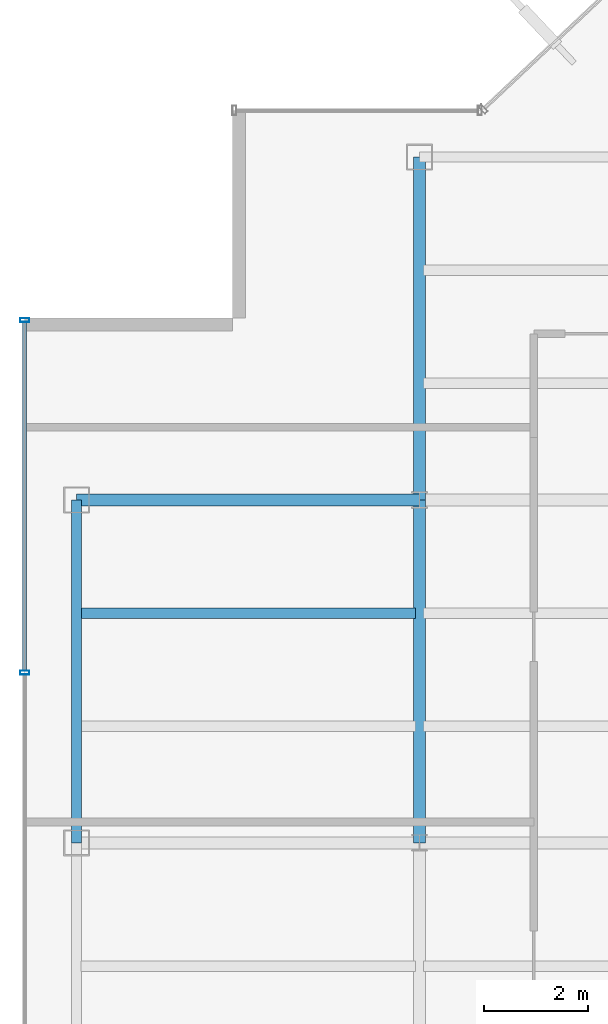
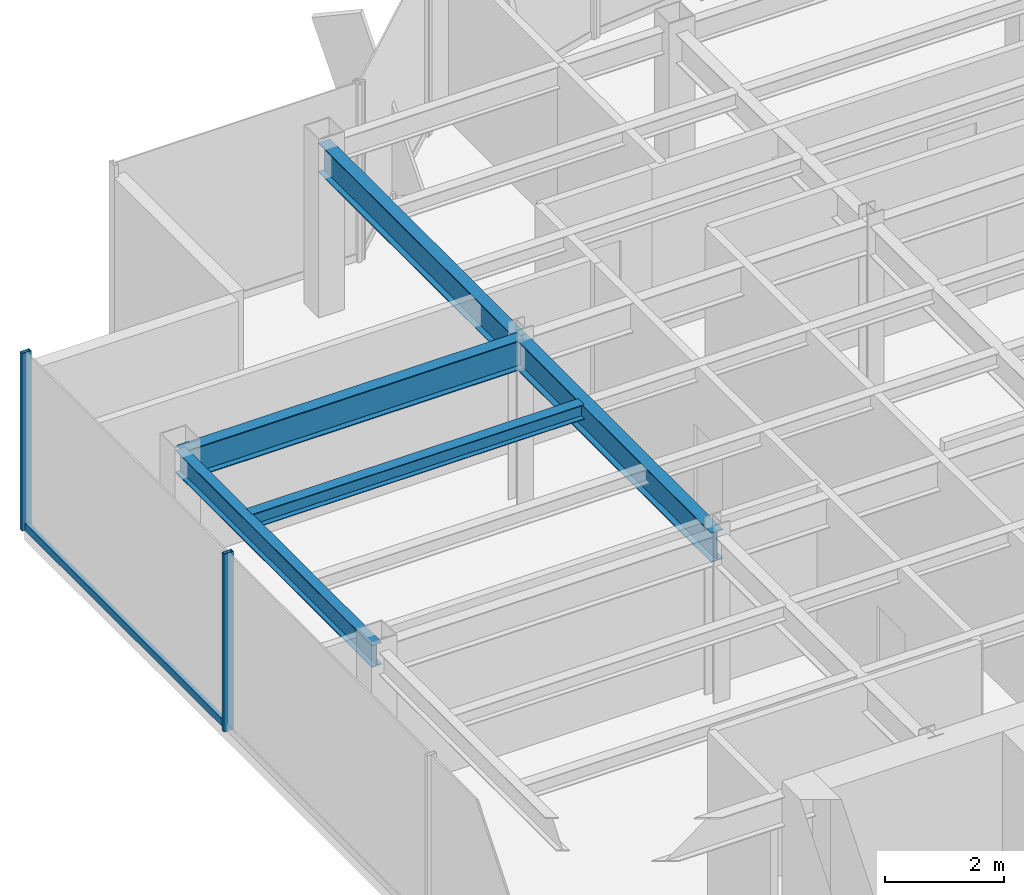
# One storey, part 7 of 22: 5 beams, 3 members, 1 element without a shape of its own.
"""IFC4 building model written with IfcOpenShell, lengths in metres."""

from ifc_helpers import new_model, si_unit, derived_unit, direction, frame, origin, origin_2d, place, context, subcontext, project, spatial, hollow_rectangle, i_section, extrude, source, transform, mapped, material, material_profile, profile_set, type_object, element, aggregate, save


model = new_model("IFC4")

# Units and contexts
model_context = context("Model", 3, precision=1e-05, world=origin(), true_north=direction((0.0, 1.0)))
body_context = subcontext(model_context, "Body", "Model", "MODEL_VIEW")
ifc_project = project(units=[si_unit("LENGTHUNIT", "METRE"), si_unit("AREAUNIT", "SQUARE_METRE"), si_unit("VOLUMEUNIT", "CUBIC_METRE"), si_unit("PLANEANGLEUNIT", "RADIAN"), si_unit("MASSUNIT", "GRAM", prefix="KILO"), derived_unit("THERMALTRANSMITTANCEUNIT", [(si_unit("POWERUNIT", "WATT"), 1), (si_unit("LENGTHUNIT", "METRE"), -2), (si_unit("THERMODYNAMICTEMPERATUREUNIT", "KELVIN"), -1)])], contexts=[model_context])

# Site, building, storey
site_placement = place(None, origin())
site = spatial("IfcSite", under=ifc_project, at=site_placement, CompositionType="ELEMENT")
building_placement = place(site_placement, origin())
building = spatial("IfcBuilding", under=site, at=building_placement, Name="Skarnbrae Concourse Arena and Tower", CompositionType="ELEMENT")
storey_placement = place(building_placement, frame((0.0, 0.0, 277.050048828125)))
storey = spatial("IfcBuildingStorey", under=building, at=storey_placement, Name="L72", CompositionType="ELEMENT", Elevation=277.050048828125)

# Beams
ifc_material_1 = material(Name="Steel CSA G40.21 350W", Category="steel")
ifc_material_profile_1 = material_profile(ifc_material_1, i_section(OverallWidth=0.22802734375, OverallDepth=0.60791015625, WebThickness=0.01123046875, FlangeThickness=0.017333984375, at=origin_2d()), Name="W610X113")
ifc_profile_set_1 = profile_set([ifc_material_profile_1], Name="Steel CSA G40.21 350W")
beam_type_1 = type_object("IfcBeamType", Name="BM-GIRD-W610X113", PredefinedType="BEAM", material=ifc_profile_set_1)
shared_shape_1 = source(origin(), body_context, "Body", "SweptSolid", [
    extrude(i_section(OverallWidth=0.22802734375, OverallDepth=0.60791015625, WebThickness=0.01123046875, FlangeThickness=0.017333984375, at=origin_2d()), origin(), (0.0, 0.0, 1.0), 6.60009765625),
])
for number, where, z_axis, x_axis, name in (
    (1, (1.0, 27.800048828125, 3.095947265625), (1.0, 0.0, 0.0), (0.0, 1.0, 0.0), "L72 Primary E-W girder Y27.8-1"),
    (2, (7.60009765625, 21.199951171875, 3.095947265625), (0.0, 1.0, 0.0), (-1.0, 0.0, 0.0), "L72 Primary N-S girder X7.6-2"),
):
    element("IfcBeam", number, at=place(storey_placement, frame(where, z_axis=z_axis, x_axis=x_axis)), inside=storey, type_object=beam_type_1, Name=name, PredefinedType="BEAM", context=body_context, shape_type="MappedRepresentation", body=[
        mapped(shared_shape_1, transform((0.0, 0.0, 0.0))),
    ])
ifc_material_profile_2 = material_profile(ifc_material_1, i_section(OverallWidth=0.19091796875, OverallDepth=0.4599609375, WebThickness=0.010009765625, FlangeThickness=0.01611328125, at=origin_2d()), Name="W460X82")
ifc_profile_set_2 = profile_set([ifc_material_profile_2], Name="Steel CSA G40.21 350W")
beam_type_2 = type_object("IfcBeamType", Name="BM-SPAN-W460X82", PredefinedType="SPANDREL", material=ifc_profile_set_2)
shared_shape_2 = source(origin(), body_context, "Body", "SweptSolid", [
    extrude(i_section(OverallWidth=0.19091796875, OverallDepth=0.4599609375, WebThickness=0.010009765625, FlangeThickness=0.01611328125, at=origin_2d()), origin(), (0.0, 0.0, 1.0), 6.60009765625),
])
beam_1_placement = place(storey_placement, frame((1.0, 21.199951171875, 3.169921875), z_axis=(0.0, 1.0, 0.0), x_axis=(-1.0, 0.0, 0.0)))
element("IfcBeam", 3, at=beam_1_placement, inside=storey, type_object=beam_type_2, Name="L72 Perimeter spandrel X1.0-3", PredefinedType="SPANDREL", context=body_context, shape_type="MappedRepresentation", body=[
    mapped(shared_shape_2, transform((0.0, 0.0, 0.0))),
])
shared_shape_3 = source(origin(), body_context, "Body", "SweptSolid", [
    extrude(i_section(OverallWidth=0.22802734375, OverallDepth=0.60791015625, WebThickness=0.01123046875, FlangeThickness=0.017333984375, at=origin_2d()), origin(), (0.0, 0.0, 1.0), 6.599853515625),
])
beam_2_placement = place(storey_placement, frame((7.60009765625, 27.800048828125, 3.095947265625), z_axis=(0.0, 1.0, 0.0), x_axis=(-1.0, 0.0, 0.0)))
element("IfcBeam", 4, at=beam_2_placement, inside=storey, type_object=beam_type_1, Name="L72 Primary N-S girder X7.6-3", PredefinedType="BEAM", context=body_context, shape_type="MappedRepresentation", body=[
    mapped(shared_shape_3, transform((0.0, 0.0, 0.0))),
])
ifc_material_profile_3 = material_profile(ifc_material_1, i_section(OverallWidth=0.202880859375, OverallDepth=0.302978515625, WebThickness=0.007568359375, FlangeThickness=0.01318359375, at=origin_2d()), Name="W310X60")
ifc_profile_set_3 = profile_set([ifc_material_profile_3], Name="Steel CSA G40.21 350W")
beam_type_3 = type_object("IfcBeamType", Name="BM-JOIST-W310X60", PredefinedType="JOIST", material=ifc_profile_set_3)
shared_shape_4 = source(origin(), body_context, "Body", "SweptSolid", [
    extrude(i_section(OverallWidth=0.202880859375, OverallDepth=0.302978515625, WebThickness=0.007568359375, FlangeThickness=0.01318359375, at=origin_2d()), origin(), (0.0, 0.0, 1.0), 6.43994140625),
])
beam_3_placement = place(storey_placement, frame((1.080078125, 25.6220703125, 3.24853515625), z_axis=(1.0, 0.0, 0.0), x_axis=(0.0, 1.0, 0.0)))
element("IfcBeam", 5, at=beam_3_placement, inside=storey, type_object=beam_type_3, Name="L72 Secondary floor joist 2.2.1", PredefinedType="JOIST", context=body_context, shape_type="MappedRepresentation", body=[
    mapped(shared_shape_4, transform((0.0, 0.0, 0.0))),
])

# Curtain wall, members
ifc_material_2 = material(Name="Bronze anodised aluminium 6063-T6", Category="aluminium")
curtain_wall_type = type_object("IfcCurtainWallType", Name="CW-SYS-05-HIGHZONE", PredefinedType="USERDEFINED", material=ifc_material_2)
curtain_wall_placement = place(storey_placement, origin())
curtain_wall = element("IfcCurtainWall", 6, at=curtain_wall_placement, inside=storey, type_object=curtain_wall_type, Name="L72 Unitised curtain wall CW-L72-E18", ObjectType="UNITISED CURTAIN WALL", PredefinedType="USERDEFINED")
ifc_material_profile_4 = material_profile(ifc_material_2, hollow_rectangle(XDim=0.074951171875, YDim=0.179931640625, WallThickness=0.00390625, at=origin_2d()), Name="ALU-MULL-75X180")
ifc_profile_set_4 = profile_set([ifc_material_profile_4], Name="Bronze anodised aluminium 6063-T6")
member_type_1 = type_object("IfcMemberType", Name="CWM-CW-05", PredefinedType="MULLION", material=ifc_profile_set_4)
shared_shape_5 = source(origin(), body_context, "Body", "SweptSolid", [
    extrude(hollow_rectangle(XDim=0.074951171875, YDim=0.179931640625, WallThickness=0.00390625, at=origin_2d()), origin(), (0.0, 0.0, 1.0), 3.64990234375),
])
member_1_placement = place(storey_placement, frame((0.0, 31.262451171875, 0.0), z_axis=(0.0, 0.0, 1.0), x_axis=(0.0, -1.0, 0.0)))
member_1 = element("IfcMember", 7, at=member_1_placement, type_object=member_type_1, Name="CW-L72-E18 Mullion 1", PredefinedType="MULLION", context=body_context, shape_type="MappedRepresentation", body=[
    mapped(shared_shape_5, transform((0.0, 0.0, 0.0))),
])
member_2_placement = place(storey_placement, frame((0.0, 24.47509765625, 0.0), z_axis=(0.0, 0.0, 1.0), x_axis=(0.0, -1.0, 0.0)))
member_2 = element("IfcMember", 8, at=member_2_placement, type_object=member_type_1, Name="CW-L72-E18 Mullion 2", PredefinedType="MULLION", context=body_context, shape_type="MappedRepresentation", body=[
    mapped(shared_shape_5, transform((0.0, 0.0, 0.0))),
])
ifc_material_profile_5 = material_profile(ifc_material_2, hollow_rectangle(XDim=0.074951171875, YDim=0.14990234375, WallThickness=0.00390625, at=origin_2d()), Name="ALU-TRAN-75X150")
ifc_profile_set_5 = profile_set([ifc_material_profile_5], Name="Bronze anodised aluminium 6063-T6")
member_type_2 = type_object("IfcMemberType", Name="CWT-CW-05", PredefinedType="USERDEFINED", material=ifc_profile_set_5)
shared_shape_6 = source(origin(), body_context, "Body", "SweptSolid", [
    extrude(hollow_rectangle(XDim=0.074951171875, YDim=0.14990234375, WallThickness=0.00390625, at=origin_2d()), origin(), (0.0, 0.0, 1.0), 6.712646484375),
])
member_3_placement = place(storey_placement, frame((0.0, 31.22509765625, 0.074951171875), z_axis=(0.0, -1.0, 0.0), x_axis=(1.0, 0.0, 0.0)))
member_3 = element("IfcMember", 9, at=member_3_placement, type_object=member_type_2, Name="CW-L72-E18 Transom 1", ObjectType="TRANSOM", PredefinedType="USERDEFINED", context=body_context, shape_type="MappedRepresentation", body=[
    mapped(shared_shape_6, transform((0.0, 0.0, 0.0))),
])
aggregate(curtain_wall, [member_1, member_2, member_3])

save(model, "model.ifc")
